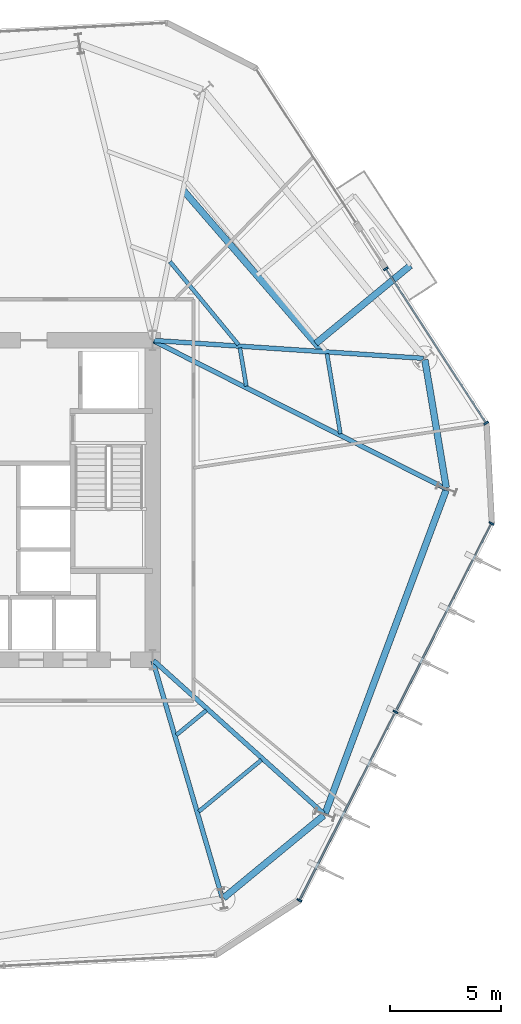
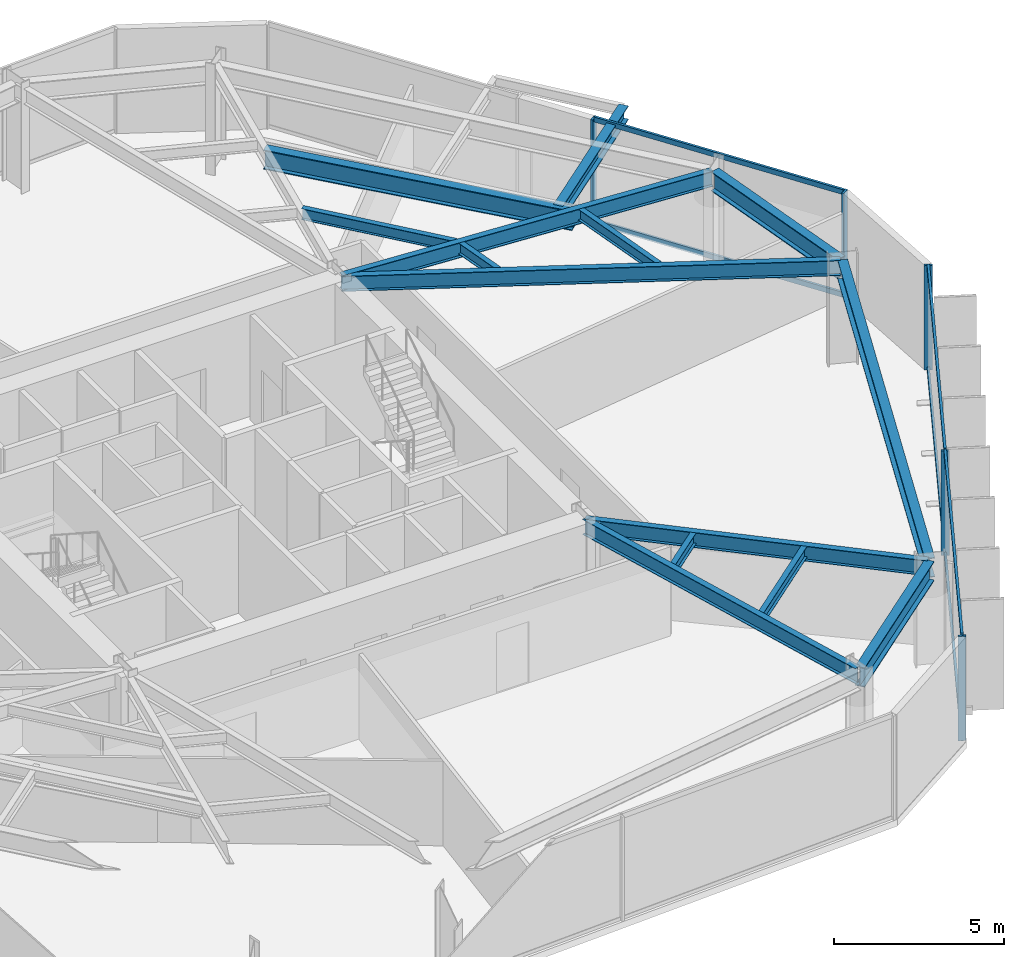
# One storey, part 3 of 10: 14 beams, 11 members, 2 elements without a shape of their own.
"""IFC4 building model written with IfcOpenShell, lengths in metres."""

import ifcopenshell
import ifcopenshell.guid

model = None  # the IFC model being written
_history = None  # IfcOwnerHistory: only IFC2X3 demands one
_inside = {}  # id of a spatial element -> (the spatial element, [elements in it])
_under = {}  # id of a project, library or spatial element -> (it, [spatial elements below it])
_declared = {}  # id of a project -> (the project, [libraries it declares])
_typed = {}  # id of a type object -> (the type object, [elements of that type])
_made_of = {}  # id of a material, layer set ... -> (it, [elements and type objects made of it])


def new_model(schema):
    """Start an empty IFC model of exactly this schema.

    Asked for "IFC4X3", IfcOpenShell would pick the latest addendum, in which some entities
    have other attributes; the version numbers below select the first issue.
    IFC2X3 requires an IfcOwnerHistory on every rooted entity: one is made here for all.
    """
    global model, _history
    if schema == "IFC4X3":
        model = ifcopenshell.file(schema_version=(4, 3, 0, 0))
    else:
        model = ifcopenshell.file(schema=schema)
    _inside.clear()
    _under.clear()
    _declared.clear()
    _typed.clear()
    _made_of.clear()
    _history = None
    if model.schema == "IFC2X3":
        org = make("IfcOrganization", Name="unknown")
        user = make(
            "IfcPersonAndOrganization",
            ThePerson=make("IfcPerson", FamilyName="unknown"),
            TheOrganization=org,
        )
        app = make(
            "IfcApplication",
            ApplicationDeveloper=org,
            Version="unknown",
            ApplicationFullName="unknown",
            ApplicationIdentifier="unknown",
        )
        _history = make(
            "IfcOwnerHistory",
            OwningUser=user,
            OwningApplication=app,
            ChangeAction="ADDED",
            CreationDate=0,
        )
    return model


def make(cls, **values):
    """One entity of the class cls with the attributes given. An attribute that is None is left unset."""
    return model.create_entity(
        cls, **{name: value for name, value in values.items() if value is not None}
    )


def rooted(cls, **values):
    """An entity with a GlobalId (a new one), such as an element, a storey or a relation."""
    return make(cls, GlobalId=ifcopenshell.guid.new(), OwnerHistory=_history, **values)


def si_unit(unit_type, name, prefix=None):
    """IfcSIUnit, for example si_unit("LENGTHUNIT", "METRE", prefix="MILLI")."""
    return make("IfcSIUnit", UnitType=unit_type, Prefix=prefix, Name=name)


def assignment(units):
    """IfcUnitAssignment: the units of a project."""
    return None if units is None else make("IfcUnitAssignment", Units=units)


def point(xyz):
    """IfcCartesianPoint."""
    return None if xyz is None else make("IfcCartesianPoint", Coordinates=xyz)


def direction(xyz):
    """IfcDirection."""
    return None if xyz is None else make("IfcDirection", DirectionRatios=xyz)


def frame(location, z_axis=None, x_axis=None):
    """IfcAxis2Placement3D, a coordinate frame: its origin and axes. An axis left out is left unset."""
    return make(
        "IfcAxis2Placement3D",
        Location=point(location),
        Axis=direction(z_axis),
        RefDirection=direction(x_axis),
    )


def frame_2d(location, x_axis=None):
    """IfcAxis2Placement2D, a coordinate frame in the plane: its origin and x axis."""
    return make(
        "IfcAxis2Placement2D", Location=point(location), RefDirection=direction(x_axis)
    )


def origin():
    """The frame at (0, 0, 0) with its axes left unset."""
    return frame((0.0, 0.0, 0.0))


def origin_2d():
    """The frame at (0, 0) in the plane with its x axis left unset."""
    return frame_2d((0.0, 0.0))


def place(relative_to, where):
    """IfcLocalPlacement: puts the frame where relative to a parent placement (None: the world)."""
    return make(
        "IfcLocalPlacement", PlacementRelTo=relative_to, RelativePlacement=where
    )


def context(
    kind, dimensions, precision=None, world=None, true_north=None, identifier=None
):
    """IfcGeometricRepresentationContext, for example the 3D "Model" context."""
    return make(
        "IfcGeometricRepresentationContext",
        ContextIdentifier=identifier,
        ContextType=kind,
        CoordinateSpaceDimension=dimensions,
        Precision=precision,
        WorldCoordinateSystem=world,
        TrueNorth=true_north,
    )


def subcontext(parent, identifier, kind, view, scale=None):
    """IfcGeometricRepresentationSubContext, for example "Body" below "Model"."""
    return make(
        "IfcGeometricRepresentationSubContext",
        ContextIdentifier=identifier,
        ContextType=kind,
        ParentContext=parent,
        TargetScale=scale,
        TargetView=view,
    )


def project(units=None, contexts=None):
    """IfcProject with its units and contexts."""
    return rooted(
        "IfcProject",
        Name="project",
        RepresentationContexts=contexts,
        UnitsInContext=assignment(units),
    )


def spatial(cls, under=None, at=None, **own):
    """A site, building, storey or space (cls), placed at a placement, below another one or the project."""
    s = rooted(cls, ObjectPlacement=at, **own)
    if under is not None:
        _under.setdefault(under.id(), (under, []))[1].append(s)
    return s


def profile(cls, at=None, kind="AREA", **sizes):
    """A parametric profile (cls). Its sizes go by their IFC names, for example OverallWidth=200.0."""
    return make(cls, ProfileType=kind, Position=at, **sizes)


def rectangle(**sizes):
    """IfcRectangleProfileDef."""
    return profile("IfcRectangleProfileDef", **sizes)


def i_section(**sizes):
    """IfcIShapeProfileDef."""
    return profile("IfcIShapeProfileDef", **sizes)


def extrude(swept, where, along, depth):
    """IfcExtrudedAreaSolid: the profile swept, set in the frame where, extruded along a direction by depth."""
    return make(
        "IfcExtrudedAreaSolid",
        SweptArea=swept,
        Position=where,
        ExtrudedDirection=direction(along),
        Depth=depth,
    )


def shape(context_of_items, identifier, shape_type, items):
    """IfcShapeRepresentation: the items that make up one representation, for example the "Body"."""
    return make(
        "IfcShapeRepresentation",
        ContextOfItems=context_of_items,
        RepresentationIdentifier=identifier,
        RepresentationType=shape_type,
        Items=items,
    )


def material(Name=None, Category=None):
    """IfcMaterial."""
    return make("IfcMaterial", Name=Name, Category=Category)


def layer(
    of_material, thickness, ventilated=None, Name=None, Category=None, Priority=None
):
    """IfcMaterialLayer: one layer of a wall or slab, of a material (None: an air gap)."""
    return make(
        "IfcMaterialLayer",
        Material=of_material,
        LayerThickness=thickness,
        IsVentilated=ventilated,
        Name=Name,
        Category=Category,
        Priority=Priority,
    )


def layer_set(layers, Name=None):
    """IfcMaterialLayerSet."""
    return make("IfcMaterialLayerSet", MaterialLayers=layers, LayerSetName=Name)


def material_profile(
    of_material, cross_section, Name=None, Category=None, Priority=None
):
    """IfcMaterialProfile: a cross section and its material."""
    return make(
        "IfcMaterialProfile",
        Name=Name,
        Material=of_material,
        Profile=cross_section,
        Priority=Priority,
        Category=Category,
    )


def profile_set(profiles, Name=None, composite=None):
    """IfcMaterialProfileSet."""
    return make(
        "IfcMaterialProfileSet",
        Name=Name,
        MaterialProfiles=profiles,
        CompositeProfile=composite,
    )


def made_of(thing, what):
    """Note that an element or type object is made of a material, layer set ...; save() writes the relation."""
    if what is not None:
        _made_of.setdefault(what.id(), (what, []))[1].append(thing)
    return thing


def type_object(cls, material=None, **own):
    """A type object (cls), such as IfcWallType, which elements share."""
    return made_of(rooted(cls, **own), material)


def element(
    cls,
    number,
    at=None,
    inside=None,
    cuts=None,
    type_object=None,
    material=None,
    context=None,
    identifier="Body",
    shape_type=None,
    held_by="IfcProductDefinitionShape",
    body=None,
    shapes=None,
    **own,
):
    """One element of the class cls, such as IfcWall. Its Tag is "e" and its number.

    at: its placement. inside: the storey or other place that contains it. cuts: it is an
    opening in that element (IfcRelVoidsElement). A single representation is given by context,
    identifier, shape_type and body (its items); several are given by shapes. held_by: the class
    of the entity that holds the representations. save() writes the other relations.
    """
    e = rooted(cls, Tag="e%d" % number, ObjectPlacement=at, **own)
    if body is not None:
        shapes = [shape(context, identifier, shape_type, body)]
    if shapes is not None:
        e.Representation = make(held_by, Representations=shapes)
    if inside is not None:
        _inside.setdefault(inside.id(), (inside, []))[1].append(e)
    if cuts is not None:
        rooted(
            "IfcRelVoidsElement", RelatingBuildingElement=cuts, RelatedOpeningElement=e
        )
    if type_object is not None:
        _typed.setdefault(type_object.id(), (type_object, []))[1].append(e)
    return made_of(e, material)


def aggregate(whole, parts):
    """IfcRelAggregates: a whole, such as a stair, and the parts it consists of."""
    return rooted("IfcRelAggregates", RelatingObject=whole, RelatedObjects=parts)


def save(model, path):
    """Write the relations noted so far, then the file.

    IfcRelAggregates (storeys below a building ...), IfcRelContainedInSpatialStructure (elements
    in a storey), IfcRelDefinesByType, IfcRelAssociatesMaterial and IfcRelDeclares: one each for
    every whole, place, type object, material and project.
    """
    for whole, parts in _under.values():
        aggregate(whole, parts)
    for where, things in _inside.values():
        rooted(
            "IfcRelContainedInSpatialStructure",
            RelatedElements=things,
            RelatingStructure=where,
        )
    for kind, things in _typed.values():
        rooted("IfcRelDefinesByType", RelatedObjects=things, RelatingType=kind)
    for what, things in _made_of.values():
        rooted("IfcRelAssociatesMaterial", RelatedObjects=things, RelatingMaterial=what)
    for by, libraries in _declared.values():
        rooted("IfcRelDeclares", RelatingContext=by, RelatedDefinitions=libraries)
    model.write(path)


model = new_model("IFC4")

# Units and contexts
model_context = context("Model", 3, precision=1e-05, world=origin(), true_north=direction((0.0, 1.0)))
body_context = subcontext(model_context, "Body", "Model", "MODEL_VIEW")
ifc_project = project(units=[si_unit("LENGTHUNIT", "METRE"), si_unit("AREAUNIT", "SQUARE_METRE"), si_unit("VOLUMEUNIT", "CUBIC_METRE"), si_unit("PLANEANGLEUNIT", "RADIAN"), si_unit("MASSUNIT", "GRAM", prefix="KILO")], contexts=[model_context])

# Site, building, storey
site_placement = place(None, origin())
site = spatial("IfcSite", under=ifc_project, at=site_placement, CompositionType="ELEMENT")
building_placement = place(site_placement, origin())
building = spatial("IfcBuilding", under=site, at=building_placement, Name="Kranzbogen Civic Tower", CompositionType="ELEMENT")
storey_placement = place(building_placement, frame((0.0, 0.0, 32.0)))
storey = spatial("IfcBuildingStorey", under=building, at=storey_placement, Name="L07", CompositionType="ELEMENT", Elevation=32.0)

# Curtain wall, members
ifc_material_1 = material(Name="Pale Anodised Aluminium", Category="aluminium")
ifc_layer = layer(ifc_material_1, 0.219970703125, Name="Pale Anodised Aluminium")
ifc_layer_set = layer_set([ifc_layer], Name="Pale Anodised Aluminium")
curtain_wall_type = type_object("IfcCurtainWallType", Name="Zone 1 Stick Curtain Wall System CW-02", PredefinedType="USERDEFINED", material=ifc_layer_set)
curtain_wall_1_placement = place(storey_placement, origin())
curtain_wall_1 = element("IfcCurtainWall", 1, at=curtain_wall_1_placement, inside=storey, type_object=curtain_wall_type, Name="L07 curtain wall CW-L07-F1-S1", ObjectType="STICK CURTAIN WALL", PredefinedType="USERDEFINED")
ifc_material_profile_1 = material_profile(ifc_material_1, rectangle(XDim=0.080078125, YDim=0.239990234375, at=origin_2d()), Name="ALU-M 80x240")
ifc_profile_set_1 = profile_set([ifc_material_profile_1], Name="Pale Anodised Aluminium")
member_type_1 = type_object("IfcMemberType", Name="Curtain Wall Mullion ALU-M 80x240", PredefinedType="MULLION", material=ifc_profile_set_1)
member_1_placement = place(storey_placement, frame((47.84765625, 28.463134765625, 0.0), z_axis=(0.0, 0.0, 1.0), x_axis=(-0.544622907233, 0.838681041229, 0.0)))
member_1 = element("IfcMember", 2, at=member_1_placement, type_object=member_type_1, Name="CW-02 mullion 1", PredefinedType="MULLION", context=body_context, shape_type="SweptSolid", body=[
    extrude(rectangle(XDim=0.080078125, YDim=0.239990234375, at=origin_2d()), origin(), (0.0, 0.0, 1.0), 3.760009765625),
])
member_2_placement = place(storey_placement, frame((43.322265625, 35.431884765625, 0.0), z_axis=(0.0, 0.0, 1.0), x_axis=(-0.544622907233, 0.838681041229, 0.0)))
member_2 = element("IfcMember", 3, at=member_2_placement, type_object=member_type_1, Name="CW-02 mullion 2", PredefinedType="MULLION", context=body_context, shape_type="SweptSolid", body=[
    extrude(rectangle(XDim=0.080078125, YDim=0.239990234375, at=origin_2d()), origin(), (0.0, 0.0, 1.0), 3.760009765625),
])

curtain_wall_2_placement = place(storey_placement, origin())
curtain_wall_2 = element("IfcCurtainWall", 4, at=curtain_wall_2_placement, inside=storey, type_object=curtain_wall_type, Name="L07 curtain wall CW-L07-F6", ObjectType="STICK CURTAIN WALL", PredefinedType="USERDEFINED")
member_3_placement = place(storey_placement, frame((39.422607421875, 6.94482421875, 0.0), z_axis=(0.0, 0.0, 1.0), x_axis=(0.453993092664, 0.891005203022, 0.0)))
member_3 = element("IfcMember", 5, at=member_3_placement, type_object=member_type_1, Name="CW-02 mullion 1", PredefinedType="MULLION", context=body_context, shape_type="SweptSolid", body=[
    extrude(rectangle(XDim=0.080078125, YDim=0.239990234375, at=origin_2d()), origin(), (0.0, 0.0, 1.0), 3.760009765625),
])
member_4_placement = place(storey_placement, frame((43.75341796875, 15.444580078125, 0.0), z_axis=(0.0, 0.0, 1.0), x_axis=(0.453993092664, 0.891005203022, 0.0)))
member_4 = element("IfcMember", 6, at=member_4_placement, type_object=member_type_1, Name="CW-02 mullion 2", PredefinedType="MULLION", context=body_context, shape_type="SweptSolid", body=[
    extrude(rectangle(XDim=0.080078125, YDim=0.239990234375, at=origin_2d()), origin(), (0.0, 0.0, 1.0), 3.760009765625),
])
member_5_placement = place(storey_placement, frame((48.08447265625, 23.9443359375, 0.0), z_axis=(0.0, 0.0, 1.0), x_axis=(0.453993092664, 0.891005203022, 0.0)))
member_5 = element("IfcMember", 7, at=member_5_placement, type_object=member_type_1, Name="CW-02 mullion 3", PredefinedType="MULLION", context=body_context, shape_type="SweptSolid", body=[
    extrude(rectangle(XDim=0.080078125, YDim=0.239990234375, at=origin_2d()), origin(), (0.0, 0.0, 1.0), 3.760009765625),
])

# Member
ifc_material_profile_2 = material_profile(ifc_material_1, rectangle(XDim=0.080078125, YDim=0.179931640625, at=origin_2d()), Name="ALU-T 80x180")
ifc_profile_set_2 = profile_set([ifc_material_profile_2], Name="Pale Anodised Aluminium")
member_type_2 = type_object("IfcMemberType", Name="Curtain Wall Transom ALU-T 80x180", PredefinedType="USERDEFINED", material=ifc_profile_set_2)
member_6_placement = place(storey_placement, frame((47.831298828125, 28.48828125, 0.030029296875), z_axis=(-0.544620042238, 0.838682901693, 0.0), x_axis=(-0.838682901693, -0.544620042238, 0.0)))
member_6 = element("IfcMember", 8, at=member_6_placement, type_object=member_type_2, Name="CW-02 transom 1.1", ObjectType="TRANSOM", PredefinedType="USERDEFINED", context=body_context, shape_type="SweptSolid", body=[
    extrude(rectangle(XDim=0.080078125, YDim=0.179931640625, at=origin_2d()), origin(), (0.0, 0.0, 1.0), 8.249267578125),
])

member_7_placement = place(storey_placement, frame((47.831298828125, 28.48828125, 3.72998046875), z_axis=(-0.544620042238, 0.838682901693, 0.0), x_axis=(-0.838682901693, -0.544620042238, 0.0)))
member_7 = element("IfcMember", 9, at=member_7_placement, type_object=member_type_2, Name="CW-02 transom 1.2", ObjectType="TRANSOM", PredefinedType="USERDEFINED", context=body_context, shape_type="SweptSolid", body=[
    extrude(rectangle(XDim=0.080078125, YDim=0.179931640625, at=origin_2d()), origin(), (0.0, 0.0, 1.0), 8.249267578125),
])

aggregate(curtain_wall_1, [member_1, member_2, member_6, member_7])

member_8_placement = place(storey_placement, frame((39.436279296875, 6.971435546875, 0.030029296875), z_axis=(0.453999854898, 0.891001757435, 0.0), x_axis=(-0.891001757435, 0.453999854898, 0.0)))
member_8 = element("IfcMember", 10, at=member_8_placement, type_object=member_type_2, Name="CW-02 transom 1.1", ObjectType="TRANSOM", PredefinedType="USERDEFINED", context=body_context, shape_type="SweptSolid", body=[
    extrude(rectangle(XDim=0.080078125, YDim=0.179931640625, at=origin_2d()), origin(), (0.0, 0.0, 1.0), 9.4794921875),
])

member_9_placement = place(storey_placement, frame((39.436279296875, 6.971435546875, 3.72998046875), z_axis=(0.453999854898, 0.891001757435, 0.0), x_axis=(-0.891001757435, 0.453999854898, 0.0)))
member_9 = element("IfcMember", 11, at=member_9_placement, type_object=member_type_2, Name="CW-02 transom 1.2", ObjectType="TRANSOM", PredefinedType="USERDEFINED", context=body_context, shape_type="SweptSolid", body=[
    extrude(rectangle(XDim=0.080078125, YDim=0.179931640625, at=origin_2d()), origin(), (0.0, 0.0, 1.0), 9.4794921875),
])

member_10_placement = place(storey_placement, frame((43.76708984375, 15.47119140625, 0.030029296875), z_axis=(0.453999854898, 0.891001757435, 0.0), x_axis=(-0.891001757435, 0.453999854898, 0.0)))
member_10 = element("IfcMember", 12, at=member_10_placement, type_object=member_type_2, Name="CW-02 transom 2.1", ObjectType="TRANSOM", PredefinedType="USERDEFINED", context=body_context, shape_type="SweptSolid", body=[
    extrude(rectangle(XDim=0.080078125, YDim=0.179931640625, at=origin_2d()), origin(), (0.0, 0.0, 1.0), 9.4794921875),
])

member_11_placement = place(storey_placement, frame((43.76708984375, 15.47119140625, 3.72998046875), z_axis=(0.453999854898, 0.891001757435, 0.0), x_axis=(-0.891001757435, 0.453999854898, 0.0)))
member_11 = element("IfcMember", 13, at=member_11_placement, type_object=member_type_2, Name="CW-02 transom 2.2", ObjectType="TRANSOM", PredefinedType="USERDEFINED", context=body_context, shape_type="SweptSolid", body=[
    extrude(rectangle(XDim=0.080078125, YDim=0.179931640625, at=origin_2d()), origin(), (0.0, 0.0, 1.0), 9.4794921875),
])

aggregate(curtain_wall_2, [member_3, member_4, member_5, member_8, member_9, member_10, member_11])

# Beams
ifc_material_2 = material(Name="Steel S355", Category="steel")
ifc_material_profile_3 = material_profile(ifc_material_2, i_section(OverallWidth=0.300048828125, OverallDepth=0.5, WebThickness=0.014404296875, FlangeThickness=0.028076171875, at=origin_2d()), Name="HEB 500")
ifc_profile_set_3 = profile_set([ifc_material_profile_3], Name="Steel S355")
beam_type_1 = type_object("IfcBeamType", Name="Perimeter Tube Spandrel Beam HEB 500", PredefinedType="SPANDREL", material=ifc_profile_set_3)
beam_1_placement = place(storey_placement, frame((40.1630859375, 32.05908203125, 3.5), z_axis=(0.771610108397, 0.636095779439, 0.0), x_axis=(-0.636095779439, 0.771610108397, 0.0)))
element("IfcBeam", 14, at=beam_1_placement, inside=storey, type_object=beam_type_1, Name="L08 back-spanned terrace beam L08-TB1-1", PredefinedType="SPANDREL", context=body_context, shape_type="SweptSolid", body=[
    extrude(i_section(OverallWidth=0.300048828125, OverallDepth=0.5, WebThickness=0.014404296875, FlangeThickness=0.028076171875, at=origin_2d()), origin(), (0.0, 0.0, 1.0), 5.52734375),
])
ifc_material_profile_4 = material_profile(ifc_material_2, i_section(OverallWidth=0.300048828125, OverallDepth=0.699951171875, WebThickness=0.01708984375, FlangeThickness=0.031982421875, at=origin_2d()), Name="HEB 700")
ifc_profile_set_4 = profile_set([ifc_material_profile_4], Name="Steel S355")
beam_type_2 = type_object("IfcBeamType", Name="Perimeter Tube Spandrel Beam HEB 700", PredefinedType="SPANDREL", material=ifc_profile_set_4)
beam_2_placement = place(storey_placement, frame((36.00390625, 7.050048828125, 3.409912109375), z_axis=(0.77168336865, 0.636006901337, 0.0), x_axis=(-0.636006901337, 0.77168336865, 0.0)))
element("IfcBeam", 15, at=beam_2_placement, inside=storey, type_object=beam_type_2, Name="L07 perimeter spandrel beam 05", PredefinedType="SPANDREL", context=body_context, shape_type="SweptSolid", body=[
    extrude(i_section(OverallWidth=0.300048828125, OverallDepth=0.699951171875, WebThickness=0.01708984375, FlangeThickness=0.031982421875, at=origin_2d()), origin(), (0.0, 0.0, 1.0), 5.853515625),
])
beam_3_placement = place(storey_placement, frame((40.587890625, 10.866943359375, 3.409912109375), z_axis=(0.350172267932, 0.936685316833, 0.0), x_axis=(-0.936685316833, 0.350172267932, 0.0)))
element("IfcBeam", 16, at=beam_3_placement, inside=storey, type_object=beam_type_2, Name="L07 perimeter spandrel beam 06", PredefinedType="SPANDREL", context=body_context, shape_type="SweptSolid", body=[
    extrude(i_section(OverallWidth=0.300048828125, OverallDepth=0.699951171875, WebThickness=0.01708984375, FlangeThickness=0.031982421875, at=origin_2d()), origin(), (0.0, 0.0, 1.0), 15.55810546875),
])
beam_4_placement = place(storey_placement, frame((46.047119140625, 25.554931640625, 3.409912109375), z_axis=(-0.164913116942, 0.986308097838, 0.0), x_axis=(-0.986308097838, -0.164913116942, 0.0)))
element("IfcBeam", 17, at=beam_4_placement, inside=storey, type_object=beam_type_2, Name="L07 perimeter spandrel beam 07", PredefinedType="SPANDREL", context=body_context, shape_type="SweptSolid", body=[
    extrude(i_section(OverallWidth=0.300048828125, OverallDepth=0.699951171875, WebThickness=0.01708984375, FlangeThickness=0.031982421875, at=origin_2d()), origin(), (0.0, 0.0, 1.0), 5.85205078125),
])
beam_5_placement = place(storey_placement, frame((40.48193359375, 31.68994140625, 3.39990234375), z_axis=(-0.654072384898, 0.75643196344, 0.0), x_axis=(-0.75643196344, -0.654072384898, 0.0)))
element("IfcBeam", 18, at=beam_5_placement, inside=storey, type_object=beam_type_2, Name="L08 balcony back-span header girder L08-TB1", PredefinedType="SPANDREL", context=body_context, shape_type="SweptSolid", body=[
    extrude(i_section(OverallWidth=0.300048828125, OverallDepth=0.699951171875, WebThickness=0.01708984375, FlangeThickness=0.031982421875, at=origin_2d()), origin(), (0.0, 0.0, 1.0), 9.633544921875),
])
ifc_material_profile_5 = material_profile(ifc_material_2, i_section(OverallWidth=0.2099609375, OverallDepth=0.550048828125, WebThickness=0.010986328125, FlangeThickness=0.01708984375, at=origin_2d()), Name="IPE 550")
ifc_profile_set_5 = profile_set([ifc_material_profile_5], Name="Steel S355")
beam_type_3 = type_object("IfcBeamType", Name="Radial Tower Floor Girder IPE 550", PredefinedType="BEAM", material=ifc_profile_set_5)
beam_6_placement = place(storey_placement, frame((35.94091796875, 7.070068359375, 3.485107421875), z_axis=(-0.280944131918, 0.959724124288, 0.0), x_axis=(-0.959724124288, -0.280944131918, 0.0)))
element("IfcBeam", 19, at=beam_6_placement, inside=storey, type_object=beam_type_3, Name="L07 radial floor girder 05", PredefinedType="BEAM", context=body_context, shape_type="SweptSolid", body=[
    extrude(i_section(OverallWidth=0.2099609375, OverallDepth=0.550048828125, WebThickness=0.010986328125, FlangeThickness=0.01708984375, at=origin_2d()), origin(), (0.0, 0.0, 1.0), 11.11962890625),
])
beam_7_placement = place(storey_placement, frame((40.52197265625, 10.85107421875, 3.485107421875), z_axis=(-0.743311776894, 0.668945141496, 0.0), x_axis=(-0.668945141496, -0.743311776894, 0.0)))
element("IfcBeam", 20, at=beam_7_placement, inside=storey, type_object=beam_type_3, Name="L07 radial floor girder 06", PredefinedType="BEAM", context=body_context, shape_type="SweptSolid", body=[
    extrude(i_section(OverallWidth=0.2099609375, OverallDepth=0.550048828125, WebThickness=0.010986328125, FlangeThickness=0.01708984375, at=origin_2d()), origin(), (0.0, 0.0, 1.0), 10.328125),
])
beam_8_placement = place(storey_placement, frame((46.0029296875, 25.52294921875, 3.485107421875), z_axis=(-0.892363219254, 0.451317942168, 0.0), x_axis=(-0.451317942168, -0.892363219254, 0.0)))
element("IfcBeam", 21, at=beam_8_placement, inside=storey, type_object=beam_type_3, Name="L07 radial floor girder 07", PredefinedType="BEAM", context=body_context, shape_type="SweptSolid", body=[
    extrude(i_section(OverallWidth=0.2099609375, OverallDepth=0.550048828125, WebThickness=0.010986328125, FlangeThickness=0.01708984375, at=origin_2d()), origin(), (0.0, 0.0, 1.0), 14.73486328125),
])
beam_9_placement = place(storey_placement, frame((45.011962890625, 31.389892578125, 3.485107421875), z_axis=(-0.99780674843, 0.066194356156, 0.0), x_axis=(-0.066194356156, -0.99780674843, 0.0)))
element("IfcBeam", 22, at=beam_9_placement, inside=storey, type_object=beam_type_3, Name="L07 radial floor girder 08", PredefinedType="BEAM", context=body_context, shape_type="SweptSolid", body=[
    extrude(i_section(OverallWidth=0.2099609375, OverallDepth=0.550048828125, WebThickness=0.010986328125, FlangeThickness=0.01708984375, at=origin_2d()), origin(), (0.0, 0.0, 1.0), 12.178466796875),
])
ifc_material_profile_6 = material_profile(ifc_material_2, i_section(OverallWidth=0.179931640625, OverallDepth=0.39990234375, WebThickness=0.008544921875, FlangeThickness=0.013427734375, at=origin_2d()), Name="IPE 400")
ifc_profile_set_6 = profile_set([ifc_material_profile_6], Name="Steel S355")
beam_type_4 = type_object("IfcBeamType", Name="Secondary Composite Floor Joist IPE 400", PredefinedType="JOIST", material=ifc_profile_set_6)
beam_10_placement = place(storey_placement, frame((34.883056640625, 10.947021484375, 3.56005859375), z_axis=(0.771712720426, 0.635971286406, 0.0), x_axis=(-0.635971286406, 0.771712720426, 0.0)))
element("IfcBeam", 23, at=beam_10_placement, inside=storey, type_object=beam_type_4, Name="L07 secondary floor joist 1.05", PredefinedType="JOIST", context=body_context, shape_type="SweptSolid", body=[
    extrude(i_section(OverallWidth=0.179931640625, OverallDepth=0.39990234375, WebThickness=0.008544921875, FlangeThickness=0.013427734375, at=origin_2d()), origin(), (0.0, 0.0, 1.0), 3.661865234375),
])
beam_11_placement = place(storey_placement, frame((33.8720703125, 14.39892578125, 3.56005859375), z_axis=(0.771773324836, 0.635897739477, 0.0), x_axis=(-0.635897739477, 0.771773324836, 0.0)))
element("IfcBeam", 24, at=beam_11_placement, inside=storey, type_object=beam_type_4, Name="L07 secondary floor joist 2.05", PredefinedType="JOIST", context=body_context, shape_type="SweptSolid", body=[
    extrude(i_section(OverallWidth=0.179931640625, OverallDepth=0.39990234375, WebThickness=0.008544921875, FlangeThickness=0.013427734375, at=origin_2d()), origin(), (0.0, 0.0, 1.0), 1.751953125),
])
beam_12_placement = place(storey_placement, frame((41.27099609375, 27.988037109375, 3.56005859375), z_axis=(-0.164928678379, 0.986305495802, 0.0), x_axis=(-0.986305495802, -0.164928678379, 0.0)))
element("IfcBeam", 25, at=beam_12_placement, inside=storey, type_object=beam_type_4, Name="L07 secondary floor joist 1.07", PredefinedType="JOIST", context=body_context, shape_type="SweptSolid", body=[
    extrude(i_section(OverallWidth=0.179931640625, OverallDepth=0.39990234375, WebThickness=0.008544921875, FlangeThickness=0.013427734375, at=origin_2d()), origin(), (0.0, 0.0, 1.0), 3.662109375),
])
beam_13_placement = place(storey_placement, frame((37.029052734375, 30.134033203125, 3.56005859375), z_axis=(-0.165077224104, 0.986280644686, 0.0), x_axis=(-0.986280644686, -0.165077224104, 0.0)))
element("IfcBeam", 26, at=beam_13_placement, inside=storey, type_object=beam_type_4, Name="L07 secondary floor joist 2.07", PredefinedType="JOIST", context=body_context, shape_type="SweptSolid", body=[
    extrude(i_section(OverallWidth=0.179931640625, OverallDepth=0.39990234375, WebThickness=0.008544921875, FlangeThickness=0.013427734375, at=origin_2d()), origin(), (0.0, 0.0, 1.0), 1.7509765625),
])
beam_14_placement = place(storey_placement, frame((36.676025390625, 32.0009765625, 3.56005859375), z_axis=(-0.636012010413, 0.771679157818, 0.0), x_axis=(-0.771679157818, -0.636012010413, 0.0)))
element("IfcBeam", 27, at=beam_14_placement, inside=storey, type_object=beam_type_4, Name="L07 secondary floor joist 2.08", PredefinedType="JOIST", context=body_context, shape_type="SweptSolid", body=[
    extrude(i_section(OverallWidth=0.179931640625, OverallDepth=0.39990234375, WebThickness=0.008544921875, FlangeThickness=0.013427734375, at=origin_2d()), origin(), (0.0, 0.0, 1.0), 4.85693359375),
])

save(model, "model.ifc")
